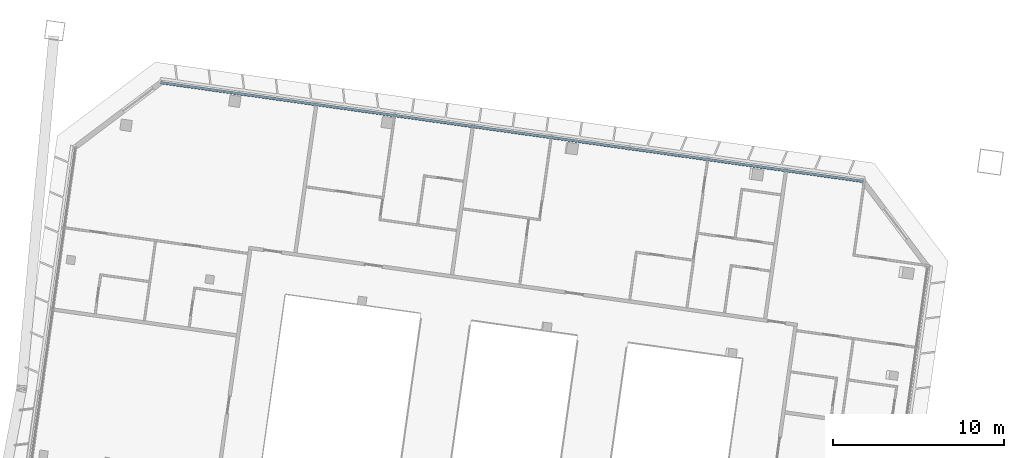
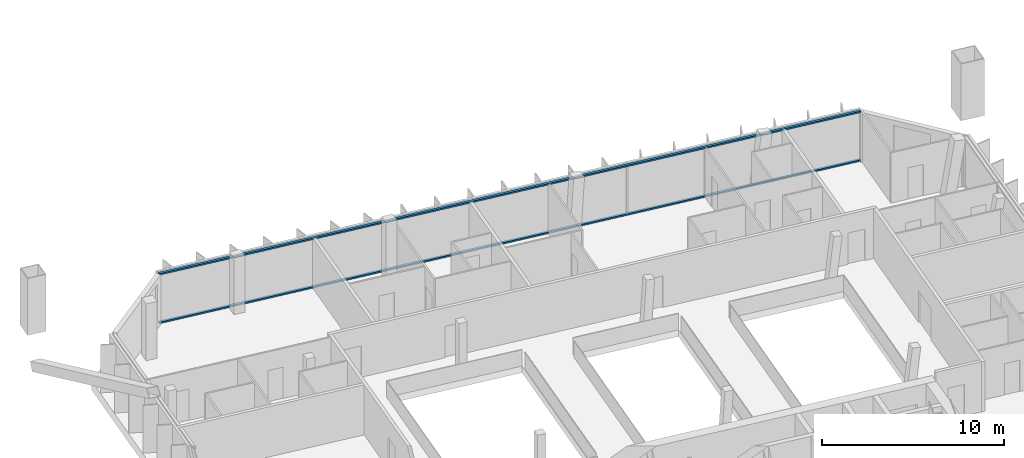
# One storey, part 6 of 23: 2 members, 1 element without a shape of its own.
"""IFC4 building model written with IfcOpenShell, lengths in metres."""

from ifc_helpers import new_model, si_unit, direction, frame, origin, origin_2d, place, context, subcontext, project, spatial, rectangle, extrude, material, material_profile, profile_set, type_object, element, aggregate, save


model = new_model("IFC4")

# Units and contexts
model_context = context("Model", 3, precision=1e-05, world=origin(), true_north=direction((0.0, 1.0)))
body_context = subcontext(model_context, "Body", "Model", "MODEL_VIEW")
ifc_project = project(units=[si_unit("LENGTHUNIT", "METRE"), si_unit("AREAUNIT", "SQUARE_METRE"), si_unit("VOLUMEUNIT", "CUBIC_METRE"), si_unit("PLANEANGLEUNIT", "RADIAN"), si_unit("MASSUNIT", "GRAM", prefix="KILO")], contexts=[model_context])

# Site, building, storey
site_placement = place(None, origin())
site = spatial("IfcSite", under=ifc_project, at=site_placement, CompositionType="ELEMENT")
building_placement = place(site_placement, origin())
building = spatial("IfcBuilding", under=site, at=building_placement, Name="Mirante Cascada Hotel Towers", CompositionType="ELEMENT")
storey_placement = place(building_placement, frame((0.0, 0.0, 220.4)))
storey = spatial("IfcBuildingStorey", under=building, at=storey_placement, Name="L52", CompositionType="ELEMENT", Elevation=220.4)

# Curtain wall, members
ifc_material_1 = material(Name="Aluminium mullion and transom frame with clear laminated glass", Category="aluminium")
curtain_wall_type = type_object("IfcCurtainWallType", Name="Ribbon curtain wall ECW1", PredefinedType="NOTDEFINED", material=ifc_material_1)
curtain_wall_placement = place(storey_placement, origin())
curtain_wall = element("IfcCurtainWall", 1, at=curtain_wall_placement, inside=storey, type_object=curtain_wall_type, Name="Front ribbon wall T1 L52", PredefinedType="NOTDEFINED")
ifc_material_2 = material(Name="Anodised aluminium extrusion", Category="aluminium")
ifc_material_profile = material_profile(ifc_material_2, rectangle(XDim=0.16, YDim=0.1, at=origin_2d()), Name="ECW1 TRANSOM 100x160")
ifc_profile_set = profile_set([ifc_material_profile], Name="Anodised aluminium extrusion")
member_type = type_object("IfcMemberType", Name="ECW1 transom 100x160", PredefinedType="USERDEFINED", material=ifc_profile_set)
member_1_placement = place(storey_placement, frame((-67.4209, 22.2944, 0.05), z_axis=(0.9902681, -0.1391729, 0.0), x_axis=(0.1391729, 0.9902681, 0.0)))
member_1 = element("IfcMember", 2, at=member_1_placement, type_object=member_type, Name="ECW1 sill transom", ObjectType="TRANSOM", PredefinedType="USERDEFINED", context=body_context, shape_type="SweptSolid", body=[
    extrude(rectangle(XDim=0.16, YDim=0.1, at=origin_2d()), origin(), (0.0, 0.0, 1.0), 41.4822),
])
member_2_placement = place(storey_placement, frame((-67.4209, 22.2944, 3.3), z_axis=(0.9902681, -0.1391729, 0.0), x_axis=(0.1391729, 0.9902681, 0.0)))
member_2 = element("IfcMember", 3, at=member_2_placement, type_object=member_type, Name="ECW1 head transom", ObjectType="TRANSOM", PredefinedType="USERDEFINED", context=body_context, shape_type="SweptSolid", body=[
    extrude(rectangle(XDim=0.16, YDim=0.1, at=origin_2d()), origin(), (0.0, 0.0, 1.0), 41.4822),
])
aggregate(curtain_wall, [member_1, member_2])

save(model, "model.ifc")
